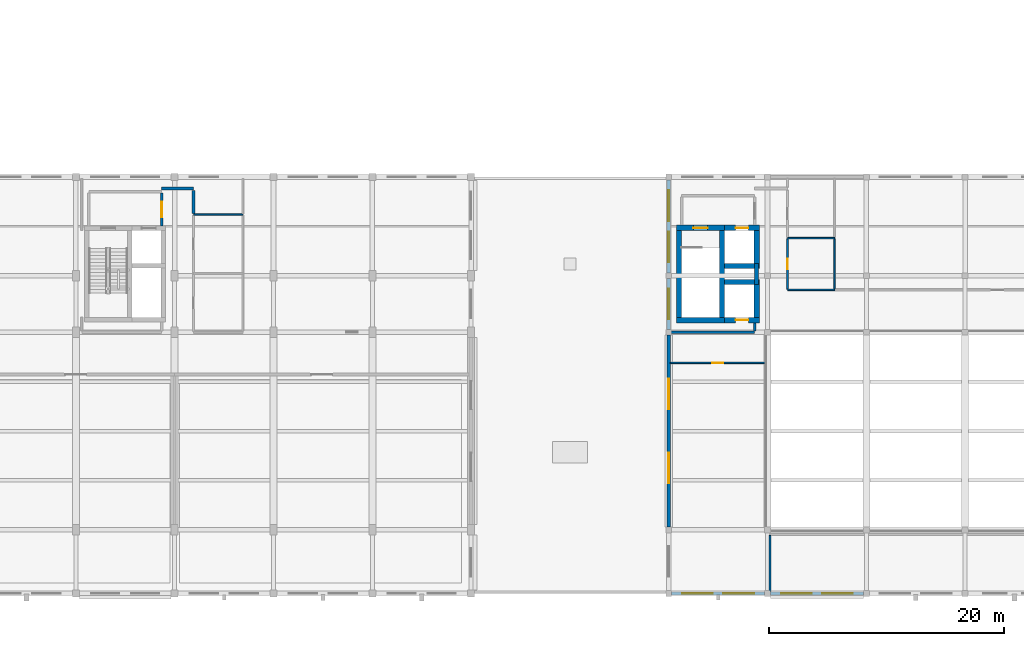
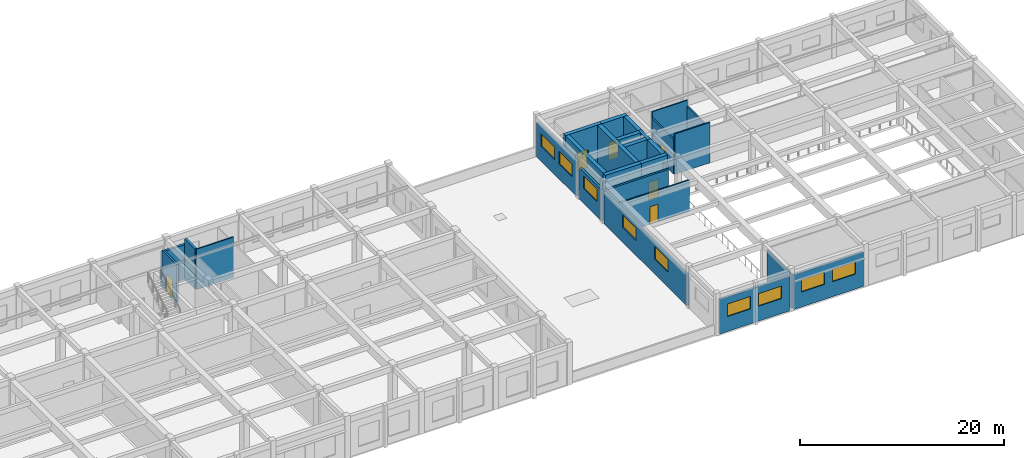
# One storey, part 60 of 77: 28 walls, 9 windows, 6 doors, 15 openings.
"""IFC4 building model written with IfcOpenShell, lengths in metres."""

import ifcopenshell
import ifcopenshell.guid

model = None  # the IFC model being written
_history = None  # IfcOwnerHistory: only IFC2X3 demands one
_inside = {}  # id of a spatial element -> (the spatial element, [elements in it])
_under = {}  # id of a project, library or spatial element -> (it, [spatial elements below it])
_declared = {}  # id of a project -> (the project, [libraries it declares])
_typed = {}  # id of a type object -> (the type object, [elements of that type])
_made_of = {}  # id of a material, layer set ... -> (it, [elements and type objects made of it])


def new_model(schema):
    """Start an empty IFC model of exactly this schema.

    Asked for "IFC4X3", IfcOpenShell would pick the latest addendum, in which some entities
    have other attributes; the version numbers below select the first issue.
    IFC2X3 requires an IfcOwnerHistory on every rooted entity: one is made here for all.
    """
    global model, _history
    if schema == "IFC4X3":
        model = ifcopenshell.file(schema_version=(4, 3, 0, 0))
    else:
        model = ifcopenshell.file(schema=schema)
    _inside.clear()
    _under.clear()
    _declared.clear()
    _typed.clear()
    _made_of.clear()
    _history = None
    if model.schema == "IFC2X3":
        org = make("IfcOrganization", Name="unknown")
        user = make(
            "IfcPersonAndOrganization",
            ThePerson=make("IfcPerson", FamilyName="unknown"),
            TheOrganization=org,
        )
        app = make(
            "IfcApplication",
            ApplicationDeveloper=org,
            Version="unknown",
            ApplicationFullName="unknown",
            ApplicationIdentifier="unknown",
        )
        _history = make(
            "IfcOwnerHistory",
            OwningUser=user,
            OwningApplication=app,
            ChangeAction="ADDED",
            CreationDate=0,
        )
    return model


def make(cls, **values):
    """One entity of the class cls with the attributes given. An attribute that is None is left unset."""
    return model.create_entity(
        cls, **{name: value for name, value in values.items() if value is not None}
    )


def rooted(cls, **values):
    """An entity with a GlobalId (a new one), such as an element, a storey or a relation."""
    return make(cls, GlobalId=ifcopenshell.guid.new(), OwnerHistory=_history, **values)


def si_unit(unit_type, name, prefix=None):
    """IfcSIUnit, for example si_unit("LENGTHUNIT", "METRE", prefix="MILLI")."""
    return make("IfcSIUnit", UnitType=unit_type, Prefix=prefix, Name=name)


def assignment(units):
    """IfcUnitAssignment: the units of a project."""
    return None if units is None else make("IfcUnitAssignment", Units=units)


def point(xyz):
    """IfcCartesianPoint."""
    return None if xyz is None else make("IfcCartesianPoint", Coordinates=xyz)


def direction(xyz):
    """IfcDirection."""
    return None if xyz is None else make("IfcDirection", DirectionRatios=xyz)


def frame(location, z_axis=None, x_axis=None):
    """IfcAxis2Placement3D, a coordinate frame: its origin and axes. An axis left out is left unset."""
    return make(
        "IfcAxis2Placement3D",
        Location=point(location),
        Axis=direction(z_axis),
        RefDirection=direction(x_axis),
    )


def frame_2d(location, x_axis=None):
    """IfcAxis2Placement2D, a coordinate frame in the plane: its origin and x axis."""
    return make(
        "IfcAxis2Placement2D", Location=point(location), RefDirection=direction(x_axis)
    )


def origin():
    """The frame at (0, 0, 0) with its axes left unset."""
    return frame((0.0, 0.0, 0.0))


def place(relative_to, where):
    """IfcLocalPlacement: puts the frame where relative to a parent placement (None: the world)."""
    return make(
        "IfcLocalPlacement", PlacementRelTo=relative_to, RelativePlacement=where
    )


def context(
    kind, dimensions, precision=None, world=None, true_north=None, identifier=None
):
    """IfcGeometricRepresentationContext, for example the 3D "Model" context."""
    return make(
        "IfcGeometricRepresentationContext",
        ContextIdentifier=identifier,
        ContextType=kind,
        CoordinateSpaceDimension=dimensions,
        Precision=precision,
        WorldCoordinateSystem=world,
        TrueNorth=true_north,
    )


def subcontext(parent, identifier, kind, view, scale=None):
    """IfcGeometricRepresentationSubContext, for example "Body" below "Model"."""
    return make(
        "IfcGeometricRepresentationSubContext",
        ContextIdentifier=identifier,
        ContextType=kind,
        ParentContext=parent,
        TargetScale=scale,
        TargetView=view,
    )


def project(units=None, contexts=None):
    """IfcProject with its units and contexts."""
    return rooted(
        "IfcProject",
        Name="project",
        RepresentationContexts=contexts,
        UnitsInContext=assignment(units),
    )


def spatial(cls, under=None, at=None, **own):
    """A site, building, storey or space (cls), placed at a placement, below another one or the project."""
    s = rooted(cls, ObjectPlacement=at, **own)
    if under is not None:
        _under.setdefault(under.id(), (under, []))[1].append(s)
    return s


def profile(cls, at=None, kind="AREA", **sizes):
    """A parametric profile (cls). Its sizes go by their IFC names, for example OverallWidth=200.0."""
    return make(cls, ProfileType=kind, Position=at, **sizes)


def rectangle(**sizes):
    """IfcRectangleProfileDef."""
    return profile("IfcRectangleProfileDef", **sizes)


def extrude(swept, where, along, depth):
    """IfcExtrudedAreaSolid: the profile swept, set in the frame where, extruded along a direction by depth."""
    return make(
        "IfcExtrudedAreaSolid",
        SweptArea=swept,
        Position=where,
        ExtrudedDirection=direction(along),
        Depth=depth,
    )


def shape(context_of_items, identifier, shape_type, items):
    """IfcShapeRepresentation: the items that make up one representation, for example the "Body"."""
    return make(
        "IfcShapeRepresentation",
        ContextOfItems=context_of_items,
        RepresentationIdentifier=identifier,
        RepresentationType=shape_type,
        Items=items,
    )


def material(Name=None, Category=None):
    """IfcMaterial."""
    return make("IfcMaterial", Name=Name, Category=Category)


def layer(
    of_material, thickness, ventilated=None, Name=None, Category=None, Priority=None
):
    """IfcMaterialLayer: one layer of a wall or slab, of a material (None: an air gap)."""
    return make(
        "IfcMaterialLayer",
        Material=of_material,
        LayerThickness=thickness,
        IsVentilated=ventilated,
        Name=Name,
        Category=Category,
        Priority=Priority,
    )


def layer_set(layers, Name=None):
    """IfcMaterialLayerSet."""
    return make("IfcMaterialLayerSet", MaterialLayers=layers, LayerSetName=Name)


def made_of(thing, what):
    """Note that an element or type object is made of a material, layer set ...; save() writes the relation."""
    if what is not None:
        _made_of.setdefault(what.id(), (what, []))[1].append(thing)
    return thing


def type_object(cls, material=None, **own):
    """A type object (cls), such as IfcWallType, which elements share."""
    return made_of(rooted(cls, **own), material)


def element(
    cls,
    number,
    at=None,
    inside=None,
    cuts=None,
    type_object=None,
    material=None,
    context=None,
    identifier="Body",
    shape_type=None,
    held_by="IfcProductDefinitionShape",
    body=None,
    shapes=None,
    **own,
):
    """One element of the class cls, such as IfcWall. Its Tag is "e" and its number.

    at: its placement. inside: the storey or other place that contains it. cuts: it is an
    opening in that element (IfcRelVoidsElement). A single representation is given by context,
    identifier, shape_type and body (its items); several are given by shapes. held_by: the class
    of the entity that holds the representations. save() writes the other relations.
    """
    e = rooted(cls, Tag="e%d" % number, ObjectPlacement=at, **own)
    if body is not None:
        shapes = [shape(context, identifier, shape_type, body)]
    if shapes is not None:
        e.Representation = make(held_by, Representations=shapes)
    if inside is not None:
        _inside.setdefault(inside.id(), (inside, []))[1].append(e)
    if cuts is not None:
        rooted(
            "IfcRelVoidsElement", RelatingBuildingElement=cuts, RelatedOpeningElement=e
        )
    if type_object is not None:
        _typed.setdefault(type_object.id(), (type_object, []))[1].append(e)
    return made_of(e, material)


def fill(opening, filler):
    """IfcRelFillsElement: the door or window that sits in an opening."""
    return rooted(
        "IfcRelFillsElement",
        RelatingOpeningElement=opening,
        RelatedBuildingElement=filler,
    )


def aggregate(whole, parts):
    """IfcRelAggregates: a whole, such as a stair, and the parts it consists of."""
    return rooted("IfcRelAggregates", RelatingObject=whole, RelatedObjects=parts)


def save(model, path):
    """Write the relations noted so far, then the file.

    IfcRelAggregates (storeys below a building ...), IfcRelContainedInSpatialStructure (elements
    in a storey), IfcRelDefinesByType, IfcRelAssociatesMaterial and IfcRelDeclares: one each for
    every whole, place, type object, material and project.
    """
    for whole, parts in _under.values():
        aggregate(whole, parts)
    for where, things in _inside.values():
        rooted(
            "IfcRelContainedInSpatialStructure",
            RelatedElements=things,
            RelatingStructure=where,
        )
    for kind, things in _typed.values():
        rooted("IfcRelDefinesByType", RelatedObjects=things, RelatingType=kind)
    for what, things in _made_of.values():
        rooted("IfcRelAssociatesMaterial", RelatedObjects=things, RelatingMaterial=what)
    for by, libraries in _declared.values():
        rooted("IfcRelDeclares", RelatingContext=by, RelatedDefinitions=libraries)
    model.write(path)


model = new_model("IFC4")

# Units and contexts
model_context = context("Model", 3, precision=1e-05, world=origin(), true_north=direction((0.0, 1.0)))
body_context = subcontext(model_context, "Body", "Model", "MODEL_VIEW")
ifc_project = project(units=[si_unit("LENGTHUNIT", "METRE"), si_unit("AREAUNIT", "SQUARE_METRE"), si_unit("VOLUMEUNIT", "CUBIC_METRE"), si_unit("PLANEANGLEUNIT", "RADIAN"), si_unit("MASSUNIT", "GRAM", prefix="KILO")], contexts=[model_context])

# Site, building, storey
site_placement = place(None, origin())
site = spatial("IfcSite", under=ifc_project, at=site_placement, CompositionType="ELEMENT")
building_placement = place(site_placement, origin())
building = spatial("IfcBuilding", under=site, at=building_placement, Name="Krzemoval Escarpment Law Courts", CompositionType="ELEMENT")
storey_placement = place(building_placement, frame((0.0, 0.0, 15.300048828125)))
storey = spatial("IfcBuildingStorey", under=building, at=storey_placement, Name="L03", CompositionType="ELEMENT", Elevation=15.300048828125)

# Wall, openings, windows
ifc_material_1 = material(Name="Precast concrete C40/50", Category="concrete")
ifc_layer_1 = layer(ifc_material_1, 0.260009765625)
ifc_layer_set_1 = layer_set([ifc_layer_1], Name="Precast concrete C40/50")
wall_type_1 = type_object("IfcWallType", Name="WL-EXT-260", PredefinedType="SOLIDWALL", material=ifc_layer_set_1)
wall_1_placement = place(storey_placement, frame((125.75, 0.0, 0.0), z_axis=(0.0, 0.0, 1.0), x_axis=(-1.0, 0.0, 0.0)))
wall_1 = element("IfcWall", 1, at=wall_1_placement, inside=storey, type_object=wall_type_1, Name="Exterior Wall EW-L03-0367", PredefinedType="SOLIDWALL", context=body_context, shape_type="SweptSolid", body=[
    extrude(rectangle(XDim=7.89990234375, YDim=0.260009765625, at=frame_2d((3.949951171875, 0.0))), origin(), (0.0, 0.0, 1.0), 4.139892578125),
])
opening_1_placement = place(wall_1_placement, frame((0.89990234375, 0.0, 1.800048828125)))
opening_1 = element("IfcOpeningElement", 2, at=opening_1_placement, cuts=wall_1, Name="Opening WN-L03-0418", PredefinedType="OPENING", context=body_context, shape_type="SweptSolid", body=[
    extrude(rectangle(XDim=2.60009765625, YDim=1.5, at=frame_2d((1.300048828125, 0.75))), frame((0.0, 0.145, 0.0), z_axis=(0.0, -1.0, 0.0), x_axis=(1.0, 0.0, 0.0)), (0.0, 0.0, 1.0), 0.29001),
])
opening_2_placement = place(wall_1_placement, frame((4.39990234375, 0.0, 1.800048828125)))
opening_2 = element("IfcOpeningElement", 3, at=opening_2_placement, cuts=wall_1, Name="Opening WN-L03-0419", PredefinedType="OPENING", context=body_context, shape_type="SweptSolid", body=[
    extrude(rectangle(XDim=2.60009765625, YDim=1.5, at=frame_2d((1.300048828125, 0.75))), frame((0.0, 0.145, 0.0), z_axis=(0.0, -1.0, 0.0), x_axis=(1.0, 0.0, 0.0)), (0.0, 0.0, 1.0), 0.29001),
])
ifc_material_2 = material(Name="Thermally Broken Aluminium Frame with Triple Low-E Acoustic Glass", Category="aluminium")
window_type = type_object("IfcWindowType", Name="WN-2600x1500", PartitioningType="SINGLE_PANEL", PredefinedType="WINDOW", material=ifc_material_2)
window_1_placement = place(opening_1_placement, origin())
window_1 = element("IfcWindow", 4, at=window_1_placement, inside=storey, type_object=window_type, Name="Facade Window WN-L03-0418", OverallHeight=1.5, OverallWidth=2.60009765625, PartitioningType="SINGLE_PANEL", PredefinedType="WINDOW", context=body_context, shape_type="SweptSolid", body=[
    extrude(rectangle(XDim=2.60009765625, YDim=1.5, at=frame_2d((1.300048828125, 0.75))), frame((0.0, 0.030029296875, 0.0), z_axis=(0.0, -1.0, 0.0), x_axis=(1.0, 0.0, 0.0)), (0.0, 0.0, 1.0), 0.06005859375),
])
fill(opening_1, window_1)
window_2_placement = place(opening_2_placement, origin())
window_2 = element("IfcWindow", 5, at=window_2_placement, inside=storey, type_object=window_type, Name="Facade Window WN-L03-0419", OverallHeight=1.5, OverallWidth=2.60009765625, PartitioningType="SINGLE_PANEL", PredefinedType="WINDOW", context=body_context, shape_type="SweptSolid", body=[
    extrude(rectangle(XDim=2.60009765625, YDim=1.5, at=frame_2d((1.300048828125, 0.75))), frame((0.0, 0.030029296875, 0.0), z_axis=(0.0, -1.0, 0.0), x_axis=(1.0, 0.0, 0.0)), (0.0, 0.0, 1.0), 0.06005859375),
])
fill(opening_2, window_2)

wall_2_placement = place(storey_placement, frame((117.35009765625, 0.0, 0.0), z_axis=(0.0, 0.0, 1.0), x_axis=(-1.0, 0.0, 0.0)))
wall_2 = element("IfcWall", 6, at=wall_2_placement, inside=storey, type_object=wall_type_1, Name="Exterior Wall EW-L03-0368", PredefinedType="SOLIDWALL", context=body_context, shape_type="SweptSolid", body=[
    extrude(rectangle(XDim=7.900146484375, YDim=0.260009765625, at=frame_2d((3.9501953125, 0.0))), origin(), (0.0, 0.0, 1.0), 4.139892578125),
])
opening_3_placement = place(wall_2_placement, frame((0.89990234375, 0.0, 1.800048828125)))
opening_3 = element("IfcOpeningElement", 7, at=opening_3_placement, cuts=wall_2, Name="Opening WN-L03-0420", PredefinedType="OPENING", context=body_context, shape_type="SweptSolid", body=[
    extrude(rectangle(XDim=2.60009765625, YDim=1.5, at=frame_2d((1.300048828125, 0.75))), frame((0.0, 0.145, 0.0), z_axis=(0.0, -1.0, 0.0), x_axis=(1.0, 0.0, 0.0)), (0.0, 0.0, 1.0), 0.29001),
])
opening_4_placement = place(wall_2_placement, frame((4.39990234375, 0.0, 1.800048828125)))
opening_4 = element("IfcOpeningElement", 8, at=opening_4_placement, cuts=wall_2, Name="Opening WN-L03-0421", PredefinedType="OPENING", context=body_context, shape_type="SweptSolid", body=[
    extrude(rectangle(XDim=2.60009765625, YDim=1.5, at=frame_2d((1.300048828125, 0.75))), frame((0.0, 0.145, 0.0), z_axis=(0.0, -1.0, 0.0), x_axis=(1.0, 0.0, 0.0)), (0.0, 0.0, 1.0), 0.29001),
])
window_3_placement = place(opening_3_placement, origin())
window_3 = element("IfcWindow", 9, at=window_3_placement, inside=storey, type_object=window_type, Name="Facade Window WN-L03-0420", OverallHeight=1.5, OverallWidth=2.60009765625, PartitioningType="SINGLE_PANEL", PredefinedType="WINDOW", context=body_context, shape_type="SweptSolid", body=[
    extrude(rectangle(XDim=2.60009765625, YDim=1.5, at=frame_2d((1.300048828125, 0.75))), frame((0.0, 0.030029296875, 0.0), z_axis=(0.0, -1.0, 0.0), x_axis=(1.0, 0.0, 0.0)), (0.0, 0.0, 1.0), 0.06005859375),
])
fill(opening_3, window_3)
window_4_placement = place(opening_4_placement, origin())
window_4 = element("IfcWindow", 10, at=window_4_placement, inside=storey, type_object=window_type, Name="Facade Window WN-L03-0421", OverallHeight=1.5, OverallWidth=2.60009765625, PartitioningType="SINGLE_PANEL", PredefinedType="WINDOW", context=body_context, shape_type="SweptSolid", body=[
    extrude(rectangle(XDim=2.60009765625, YDim=1.5, at=frame_2d((1.300048828125, 0.75))), frame((0.0, 0.030029296875, 0.0), z_axis=(0.0, -1.0, 0.0), x_axis=(1.0, 0.0, 0.0)), (0.0, 0.0, 1.0), 0.06005859375),
])
fill(opening_4, window_4)

wall_3_placement = place(storey_placement, frame((109.199951171875, 5.64990234375, 0.0), z_axis=(0.0, 0.0, 1.0), x_axis=(0.0, 1.0, 0.0)))
wall_3 = element("IfcWall", 11, at=wall_3_placement, inside=storey, type_object=wall_type_1, Name="Exterior Wall EW-L03-0370", PredefinedType="SOLIDWALL", context=body_context, shape_type="SweptSolid", body=[
    extrude(rectangle(XDim=16.300048828125, YDim=0.260009765625, at=frame_2d((8.14990234375, 0.0))), origin(), (0.0, 0.0, 1.0), 3.7900390625),
])
opening_5_placement = place(wall_3_placement, frame((3.699951171875, 0.0, 1.800048828125)))
opening_5 = element("IfcOpeningElement", 12, at=opening_5_placement, cuts=wall_3, Name="Opening WN-L03-0423", PredefinedType="OPENING", context=body_context, shape_type="SweptSolid", body=[
    extrude(rectangle(XDim=2.60009765625, YDim=1.5, at=frame_2d((1.300048828125, 0.75))), frame((0.0, 0.145, 0.0), z_axis=(0.0, -1.0, 0.0), x_axis=(1.0, 0.0, 0.0)), (0.0, 0.0, 1.0), 0.29001),
])
opening_6_placement = place(wall_3_placement, frame((10.0, 0.0, 1.800048828125)))
opening_6 = element("IfcOpeningElement", 13, at=opening_6_placement, cuts=wall_3, Name="Opening WN-L03-0424", PredefinedType="OPENING", context=body_context, shape_type="SweptSolid", body=[
    extrude(rectangle(XDim=2.60009765625, YDim=1.5, at=frame_2d((1.300048828125, 0.75))), frame((0.0, 0.145, 0.0), z_axis=(0.0, -1.0, 0.0), x_axis=(1.0, 0.0, 0.0)), (0.0, 0.0, 1.0), 0.29001),
])
window_5_placement = place(opening_5_placement, origin())
window_5 = element("IfcWindow", 14, at=window_5_placement, inside=storey, type_object=window_type, Name="Facade Window WN-L03-0423", OverallHeight=1.5, OverallWidth=2.60009765625, PartitioningType="SINGLE_PANEL", PredefinedType="WINDOW", context=body_context, shape_type="SweptSolid", body=[
    extrude(rectangle(XDim=2.60009765625, YDim=1.5, at=frame_2d((1.300048828125, 0.75))), frame((0.0, 0.030029296875, 0.0), z_axis=(0.0, -1.0, 0.0), x_axis=(1.0, 0.0, 0.0)), (0.0, 0.0, 1.0), 0.06005859375),
])
fill(opening_5, window_5)
window_6_placement = place(opening_6_placement, origin())
window_6 = element("IfcWindow", 15, at=window_6_placement, inside=storey, type_object=window_type, Name="Facade Window WN-L03-0424", OverallHeight=1.5, OverallWidth=2.60009765625, PartitioningType="SINGLE_PANEL", PredefinedType="WINDOW", context=body_context, shape_type="SweptSolid", body=[
    extrude(rectangle(XDim=2.60009765625, YDim=1.5, at=frame_2d((1.300048828125, 0.75))), frame((0.0, 0.030029296875, 0.0), z_axis=(0.0, -1.0, 0.0), x_axis=(1.0, 0.0, 0.0)), (0.0, 0.0, 1.0), 0.06005859375),
])
fill(opening_6, window_6)

# Wall, opening, window
wall_4_placement = place(storey_placement, frame((109.199951171875, 22.449951171875, 0.0), z_axis=(0.0, 0.0, 1.0), x_axis=(0.0, 1.0, 0.0)))
wall_4 = element("IfcWall", 16, at=wall_4_placement, inside=storey, type_object=wall_type_1, Name="Exterior Wall EW-L03-0371", PredefinedType="SOLIDWALL", context=body_context, shape_type="SweptSolid", body=[
    extrude(rectangle(XDim=4.300048828125, YDim=0.260009765625, at=frame_2d((2.14990234375, 0.0))), origin(), (0.0, 0.0, 1.0), 3.7900390625),
])
opening_7_placement = place(wall_4_placement, frame((0.85009765625, 0.0, 1.800048828125)))
opening_7 = element("IfcOpeningElement", 17, at=opening_7_placement, cuts=wall_4, Name="Opening WN-L03-0425", PredefinedType="OPENING", context=body_context, shape_type="SweptSolid", body=[
    extrude(rectangle(XDim=2.60009765625, YDim=1.5, at=frame_2d((1.300048828125, 0.75))), frame((0.0, 0.145, 0.0), z_axis=(0.0, -1.0, 0.0), x_axis=(1.0, 0.0, 0.0)), (0.0, 0.0, 1.0), 0.29001),
])
window_7_placement = place(opening_7_placement, origin())
window_7 = element("IfcWindow", 18, at=window_7_placement, inside=storey, type_object=window_type, Name="Facade Window WN-L03-0425", OverallHeight=1.5, OverallWidth=2.60009765625, PartitioningType="SINGLE_PANEL", PredefinedType="WINDOW", context=body_context, shape_type="SweptSolid", body=[
    extrude(rectangle(XDim=2.60009765625, YDim=1.5, at=frame_2d((1.300048828125, 0.75))), frame((0.0, 0.030029296875, 0.0), z_axis=(0.0, -1.0, 0.0), x_axis=(1.0, 0.0, 0.0)), (0.0, 0.0, 1.0), 0.06005859375),
])
fill(opening_7, window_7)

# Wall, openings, windows
wall_5_placement = place(storey_placement, frame((109.199951171875, 27.25, 0.0), z_axis=(0.0, 0.0, 1.0), x_axis=(0.0, 1.0, 0.0)))
wall_5 = element("IfcWall", 19, at=wall_5_placement, inside=storey, type_object=wall_type_1, Name="Exterior Wall EW-L03-0372", PredefinedType="SOLIDWALL", context=body_context, shape_type="SweptSolid", body=[
    extrude(rectangle(XDim=7.89990234375, YDim=0.260009765625, at=frame_2d((3.949951171875, 0.0))), origin(), (0.0, 0.0, 1.0), 4.139892578125),
])
opening_8_placement = place(wall_5_placement, frame((0.89990234375, 0.0, 1.800048828125)))
opening_8 = element("IfcOpeningElement", 20, at=opening_8_placement, cuts=wall_5, Name="Opening WN-L03-0426", PredefinedType="OPENING", context=body_context, shape_type="SweptSolid", body=[
    extrude(rectangle(XDim=2.60009765625, YDim=1.5, at=frame_2d((1.300048828125, 0.75))), frame((0.0, 0.145, 0.0), z_axis=(0.0, -1.0, 0.0), x_axis=(1.0, 0.0, 0.0)), (0.0, 0.0, 1.0), 0.29001),
])
opening_9_placement = place(wall_5_placement, frame((4.39990234375, 0.0, 1.800048828125)))
opening_9 = element("IfcOpeningElement", 21, at=opening_9_placement, cuts=wall_5, Name="Opening WN-L03-0427", PredefinedType="OPENING", context=body_context, shape_type="SweptSolid", body=[
    extrude(rectangle(XDim=2.60009765625, YDim=1.5, at=frame_2d((1.300048828125, 0.75))), frame((0.0, 0.145, 0.0), z_axis=(0.0, -1.0, 0.0), x_axis=(1.0, 0.0, 0.0)), (0.0, 0.0, 1.0), 0.29001),
])
window_8_placement = place(opening_8_placement, origin())
window_8 = element("IfcWindow", 22, at=window_8_placement, inside=storey, type_object=window_type, Name="Facade Window WN-L03-0426", OverallHeight=1.5, OverallWidth=2.60009765625, PartitioningType="SINGLE_PANEL", PredefinedType="WINDOW", context=body_context, shape_type="SweptSolid", body=[
    extrude(rectangle(XDim=2.60009765625, YDim=1.5, at=frame_2d((1.300048828125, 0.75))), frame((0.0, 0.030029296875, 0.0), z_axis=(0.0, -1.0, 0.0), x_axis=(1.0, 0.0, 0.0)), (0.0, 0.0, 1.0), 0.06005859375),
])
fill(opening_8, window_8)
window_9_placement = place(opening_9_placement, origin())
window_9 = element("IfcWindow", 23, at=window_9_placement, inside=storey, type_object=window_type, Name="Facade Window WN-L03-0427", OverallHeight=1.5, OverallWidth=2.60009765625, PartitioningType="SINGLE_PANEL", PredefinedType="WINDOW", context=body_context, shape_type="SweptSolid", body=[
    extrude(rectangle(XDim=2.60009765625, YDim=1.5, at=frame_2d((1.300048828125, 0.75))), frame((0.0, 0.030029296875, 0.0), z_axis=(0.0, -1.0, 0.0), x_axis=(1.0, 0.0, 0.0)), (0.0, 0.0, 1.0), 0.06005859375),
])
fill(opening_9, window_9)

# Wall, opening, door
ifc_material_3 = material(Name="Standard Metal-Stud Gypsum Partition", Category="gypsum")
ifc_layer_2 = layer(ifc_material_3, 0.125)
ifc_layer_set_2 = layer_set([ifc_layer_2], Name="Standard Metal-Stud Gypsum Partition")
wall_type_2 = type_object("IfcWallType", Name="WL-PRT-125", PredefinedType="PARTITIONING", material=ifc_layer_set_2)
wall_6_placement = place(storey_placement, frame((109.33203125, 19.60009765625, 0.0), z_axis=(0.0, 0.0, 1.0), x_axis=(1.0, 0.0, 0.0)))
wall_6 = element("IfcWall", 24, at=wall_6_placement, inside=storey, type_object=wall_type_2, Name="Interior Partition PW-L03-0488", PredefinedType="PARTITIONING", context=body_context, shape_type="SweptSolid", body=[
    extrude(rectangle(XDim=8.06787109375, YDim=0.125, at=frame_2d((4.033935546875, 0.0))), origin(), (0.0, 0.0, 1.0), 3.7900390625),
])
opening_10_placement = place(wall_6_placement, frame((3.583984375, 0.0, 0.0)))
opening_10 = element("IfcOpeningElement", 25, at=opening_10_placement, cuts=wall_6, Name="Opening D-L03-0184", PredefinedType="OPENING", context=body_context, shape_type="SweptSolid", body=[
    extrude(rectangle(XDim=0.89990234375, YDim=2.10009765625, at=frame_2d((0.449951171875, 1.050048828125))), frame((0.0, 0.0775, 0.0), z_axis=(0.0, -1.0, 0.0), x_axis=(1.0, 0.0, 0.0)), (0.0, 0.0, 1.0), 0.155),
])
ifc_material_4 = material(Name="Engineered Solid-Core Oak Acoustic Timber", Category="wood")
door_type_1 = type_object("IfcDoorType", Name="DR-INT-900x2100", OperationType="SINGLE_SWING_LEFT", PredefinedType="DOOR", material=ifc_material_4)
door_1_placement = place(opening_10_placement, origin())
door_1 = element("IfcDoor", 26, at=door_1_placement, inside=storey, type_object=door_type_1, Name="Room Door D-L03-0184", OperationType="SINGLE_SWING_RIGHT", OverallHeight=2.10009765625, OverallWidth=0.89990234375, PredefinedType="DOOR", context=body_context, shape_type="SweptSolid", body=[
    extrude(rectangle(XDim=0.89990234375, YDim=2.10009765625, at=frame_2d((0.449951171875, 1.050048828125))), frame((0.0, 0.02490234375, 0.0), z_axis=(0.0, -1.0, 0.0), x_axis=(1.0, 0.0, 0.0)), (0.0, 0.0, 1.0), 0.050048828125),
])
fill(opening_10, door_1)

# Walls
ifc_material_5 = material(Name="Sanitary Moisture-Resistant Partition", Category="gypsum")
ifc_layer_3 = layer(ifc_material_5, 0.139892578125)
ifc_layer_set_3 = layer_set([ifc_layer_3], Name="Sanitary Moisture-Resistant Partition")
wall_type_3 = type_object("IfcWallType", Name="WL-PRT-140", PredefinedType="PARTITIONING", material=ifc_layer_set_3)
for number, where, z_axis, x_axis, name in (
    (27, (119.300048828125, 25.800048828125, 0.0), (0.0, 0.0, 1.0), (1.0, 0.0, 0.0), "Interior Partition PW-L03-0495"),
    (28, (119.300048828125, 30.199951171875, 0.0), (0.0, 0.0, 1.0), (1.0, 0.0, 0.0), "Interior Partition PW-L03-0499"),
):
    element("IfcWall", number, at=place(storey_placement, frame(where, z_axis=z_axis, x_axis=x_axis)), inside=storey, type_object=wall_type_3, Name=name, PredefinedType="PARTITIONING", context=body_context, shape_type="SweptSolid", body=[
        extrude(rectangle(XDim=4.0, YDim=0.139892578125, at=frame_2d((2.0, 0.0))), origin(), (0.0, 0.0, 1.0), 4.83984375),
    ])
wall_7_placement = place(storey_placement, frame((68.800048828125, 32.199951171875, 0.0), z_axis=(0.0, 0.0, 1.0), x_axis=(1.0, 0.0, 0.0)))
element("IfcWall", 29, at=wall_7_placement, inside=storey, type_object=wall_type_3, Name="Interior Partition PW-L03-0503", PredefinedType="PARTITIONING", context=body_context, shape_type="SweptSolid", body=[
    extrude(rectangle(XDim=4.199951171875, YDim=0.139892578125, at=frame_2d((2.10009765625, 0.0))), origin(), (0.0, 0.0, 1.0), 4.83984375),
])

# Wall, opening, door
wall_8_placement = place(storey_placement, frame((119.300048828125, 25.8720703125, 0.0), z_axis=(0.0, 0.0, 1.0), x_axis=(0.0, 1.0, 0.0)))
wall_8 = element("IfcWall", 30, at=wall_8_placement, inside=storey, type_object=wall_type_3, Name="Interior Partition PW-L03-0572", PredefinedType="PARTITIONING", context=body_context, shape_type="SweptSolid", body=[
    extrude(rectangle(XDim=4.255859375, YDim=0.139892578125, at=frame_2d((2.1279296875, 0.0))), origin(), (0.0, 0.0, 1.0), 4.139892578125),
])
opening_11_placement = place(wall_8_placement, frame((1.677978515625, 0.0, 0.0)))
opening_11 = element("IfcOpeningElement", 31, at=opening_11_placement, cuts=wall_8, Name="Opening D-L03-0187", PredefinedType="OPENING", context=body_context, shape_type="SweptSolid", body=[
    extrude(rectangle(XDim=0.89990234375, YDim=2.10009765625, at=frame_2d((0.449951171875, 1.050048828125))), frame((0.0, 0.08495, 0.0), z_axis=(0.0, -1.0, 0.0), x_axis=(1.0, 0.0, 0.0)), (0.0, 0.0, 1.0), 0.16989),
])
door_2_placement = place(opening_11_placement, origin())
door_2 = element("IfcDoor", 32, at=door_2_placement, inside=storey, type_object=door_type_1, Name="Room Door D-L03-0187", OperationType="SINGLE_SWING_RIGHT", OverallHeight=2.10009765625, OverallWidth=0.89990234375, PredefinedType="DOOR", context=body_context, shape_type="SweptSolid", body=[
    extrude(rectangle(XDim=0.89990234375, YDim=2.10009765625, at=frame_2d((0.449951171875, 1.050048828125))), frame((0.0, 0.02490234375, 0.0), z_axis=(0.0, -1.0, 0.0), x_axis=(1.0, 0.0, 0.0)), (0.0, 0.0, 1.0), 0.050048828125),
])
fill(opening_11, door_2)

# Walls
wall_9_placement = place(storey_placement, frame((123.300048828125, 25.876953125, 0.0), z_axis=(0.0, 0.0, 1.0), x_axis=(0.0, 1.0, 0.0)))
element("IfcWall", 33, at=wall_9_placement, inside=storey, type_object=wall_type_3, Name="Interior Partition PW-L03-0575", PredefinedType="PARTITIONING", context=body_context, shape_type="SweptSolid", body=[
    extrude(rectangle(XDim=4.2509765625, YDim=0.139892578125, at=frame_2d((2.12548828125, 0.0))), origin(), (0.0, 0.0, 1.0), 4.139892578125),
])
ifc_material_6 = material(Name="Office Acoustic Partition Wall", Category="gypsum")
ifc_layer_4 = layer(ifc_material_6, 0.14990234375)
ifc_layer_set_4 = layer_set([ifc_layer_4], Name="Office Acoustic Partition Wall")
wall_type_4 = type_object("IfcWallType", Name="WL-PRT-150", PredefinedType="PARTITIONING", material=ifc_layer_set_4)
wall_10_placement = place(storey_placement, frame((117.800048828125, 0.123046875, 0.0), z_axis=(0.0, 0.0, 1.0), x_axis=(0.0, 1.0, 0.0)))
element("IfcWall", 34, at=wall_10_placement, inside=storey, type_object=wall_type_4, Name="Interior Partition PW-L03-0571", PredefinedType="PARTITIONING", context=body_context, shape_type="SweptSolid", body=[
    extrude(rectangle(XDim=4.804931640625, YDim=0.14990234375, at=frame_2d((2.40234375, 0.0))), origin(), (0.0, 0.0, 1.0), 4.139892578125),
])

# Wall, opening, door
ifc_material_7 = material(Name="Fire-Rated Corridor Partition Wall", Category="gypsum")
ifc_layer_5 = layer(ifc_material_7, 0.199951171875)
ifc_layer_set_5 = layer_set([ifc_layer_5], Name="Fire-Rated Corridor Partition Wall")
wall_type_5 = type_object("IfcWallType", Name="WL-PRT-200", PredefinedType="PARTITIONING", material=ifc_layer_set_5)
wall_11_placement = place(storey_placement, frame((66.10009765625, 31.23193359375, 0.0), z_axis=(0.0, 0.0, 1.0), x_axis=(0.0, 1.0, 0.0)))
wall_11 = element("IfcWall", 35, at=wall_11_placement, inside=storey, type_object=wall_type_5, Name="Interior Partition PW-L03-0559", PredefinedType="PARTITIONING", context=body_context, shape_type="SweptSolid", body=[
    extrude(rectangle(XDim=2.816162109375, YDim=0.199951171875, at=frame_2d((1.408203125, 0.0))), origin(), (0.0, 0.0, 1.0), 4.5400390625),
])
opening_12_placement = place(wall_11_placement, frame((0.758056640625, 0.0, 0.0)))
opening_12 = element("IfcOpeningElement", 36, at=opening_12_placement, cuts=wall_11, Name="Opening D-L03-0168", PredefinedType="OPENING", context=body_context, shape_type="SweptSolid", body=[
    extrude(rectangle(XDim=1.300048828125, YDim=2.199951171875, at=frame_2d((0.64990234375, 1.10009765625))), frame((0.0, 0.11498, 0.0), z_axis=(0.0, -1.0, 0.0), x_axis=(1.0, 0.0, 0.0)), (0.0, 0.0, 1.0), 0.22995),
])
ifc_material_8 = material(Name="Galvanised Steel S355", Category="steel")
door_type_2 = type_object("IfcDoorType", Name="DR-STR-1300x2200", OperationType="SINGLE_SWING_LEFT", PredefinedType="DOOR", material=ifc_material_8)
door_3_placement = place(opening_12_placement, origin())
door_3 = element("IfcDoor", 37, at=door_3_placement, inside=storey, type_object=door_type_2, Name="Room Door D-L03-0168", OperationType="SINGLE_SWING_LEFT", OverallHeight=2.199951171875, OverallWidth=1.300048828125, PredefinedType="DOOR", context=body_context, shape_type="SweptSolid", body=[
    extrude(rectangle(XDim=1.300048828125, YDim=2.199951171875, at=frame_2d((0.64990234375, 1.10009765625))), frame((0.0, 0.02490234375, 0.0), z_axis=(0.0, -1.0, 0.0), x_axis=(1.0, 0.0, 0.0)), (0.0, 0.0, 1.0), 0.050048828125),
])
fill(opening_12, door_3)

# Walls
wall_12_placement = place(storey_placement, frame((116.5, 22.31201171875, 0.0), z_axis=(0.0, 0.0, 1.0), x_axis=(0.0, 1.0, 0.0)))
element("IfcWall", 38, at=wall_12_placement, inside=storey, type_object=wall_type_5, Name="Interior Partition PW-L03-0570", PredefinedType="PARTITIONING", context=body_context, shape_type="SweptSolid", body=[
    extrude(rectangle(XDim=0.68603515625, YDim=0.199951171875, at=frame_2d((0.343017578125, 0.0))), origin(), (0.0, 0.0, 1.0), 4.139892578125),
])
ifc_material_9 = material(Name="Solid Calcium-Silicate Custody Blockwork Partition", Category="masonry")
ifc_layer_6 = layer(ifc_material_9, 0.219970703125)
ifc_layer_set_6 = layer_set([ifc_layer_6], Name="Solid Calcium-Silicate Custody Blockwork Partition")
wall_type_6 = type_object("IfcWallType", Name="WL-PRT-220", PredefinedType="PARTITIONING", material=ifc_layer_set_6)
wall_13_placement = place(storey_placement, frame((109.2529296875, 22.199951171875, 0.0), z_axis=(0.0, 0.0, 1.0), x_axis=(1.0, 0.0, 0.0)))
element("IfcWall", 39, at=wall_13_placement, inside=storey, type_object=wall_type_6, Name="Interior Partition PW-L03-0493", PredefinedType="PARTITIONING", context=body_context, shape_type="SweptSolid", body=[
    extrude(rectangle(XDim=7.2470703125, YDim=0.219970703125, at=frame_2d((3.62353515625, 0.0))), origin(), (0.0, 0.0, 1.0), 3.7900390625),
])
ifc_material_10 = material(Name="Acoustic Courtroom Partition Assembly", Category="gypsum")
ifc_layer_7 = layer(ifc_material_10, 0.239990234375)
ifc_layer_set_7 = layer_set([ifc_layer_7], Name="Acoustic Courtroom Partition Assembly")
wall_type_7 = type_object("IfcWallType", Name="WL-PRT-240", PredefinedType="PARTITIONING", material=ifc_layer_set_7)
wall_14_placement = place(storey_placement, frame((68.800048828125, 32.27197265625, 0.0), z_axis=(0.0, 0.0, 1.0), x_axis=(0.0, 1.0, 0.0)))
element("IfcWall", 40, at=wall_14_placement, inside=storey, type_object=wall_type_7, Name="Interior Partition PW-L03-0562", PredefinedType="PARTITIONING", context=body_context, shape_type="SweptSolid", body=[
    extrude(rectangle(XDim=1.99609375, YDim=0.239990234375, at=frame_2d((0.998046875, 0.0))), origin(), (0.0, 0.0, 1.0), 4.83984375),
])
ifc_material_11 = material(Name="Acoustic Double-Stud Gypsum and Mineral Wool Wall", Category="gypsum")
ifc_layer_8 = layer(ifc_material_11, 0.260009765625)
ifc_layer_set_8 = layer_set([ifc_layer_8], Name="Acoustic Double-Stud Gypsum and Mineral Wool Wall")
wall_type_8 = type_object("IfcWallType", Name="WL-PRT-260", PredefinedType="PARTITIONING", material=ifc_layer_set_8)
wall_15_placement = place(storey_placement, frame((66.10009765625, 34.39990234375, 0.0), z_axis=(0.0, 0.0, 1.0), x_axis=(1.0, 0.0, 0.0)))
element("IfcWall", 41, at=wall_15_placement, inside=storey, type_object=wall_type_8, Name="Interior Partition PW-L03-0506", PredefinedType="PARTITIONING", context=body_context, shape_type="SweptSolid", body=[
    extrude(rectangle(XDim=2.699951171875, YDim=0.260009765625, at=frame_2d((1.35009765625, 0.0))), origin(), (0.0, 0.0, 1.0), 4.139892578125),
])
ifc_material_12 = material(Name="Concrete C40/50", Category="concrete")
ifc_layer_9 = layer(ifc_material_12, 0.35009765625)
ifc_layer_set_9 = layer_set([ifc_layer_9], Name="Concrete C40/50")
wall_type_9 = type_object("IfcWallType", Name="WL-SHW-350", PredefinedType="SHEAR", material=ifc_layer_set_9)
wall_16_placement = place(storey_placement, frame((116.675048828125, 26.242919921875, 0.0), z_axis=(0.0, 0.0, 1.0), x_axis=(0.0, 1.0, 0.0)))
element("IfcWall", 42, at=wall_16_placement, inside=storey, type_object=wall_type_9, Name="Riser Shaft Wall SW-L03-0594", PredefinedType="SHEAR", context=body_context, shape_type="SweptSolid", body=[
    extrude(rectangle(XDim=1.81396484375, YDim=0.35009765625, at=frame_2d((0.906982421875, 0.0))), origin(), (0.0, 0.0, 1.0), 4.83984375),
])

# Wall, opening, door
ifc_material_13 = material(Name="Concrete C40/50", Category="concrete")
ifc_layer_10 = layer(ifc_material_13, 0.449951171875)
ifc_layer_set_10 = layer_set([ifc_layer_10], Name="Concrete C40/50")
wall_type_10 = type_object("IfcWallType", Name="WL-SHW-450", PredefinedType="SHEAR", material=ifc_layer_set_10)
wall_17_placement = place(storey_placement, frame((109.85009765625, 31.074951171875, 0.0), z_axis=(0.0, 0.0, 1.0), x_axis=(1.0, 0.0, 0.0)))
wall_17 = element("IfcWall", 43, at=wall_17_placement, inside=storey, type_object=wall_type_10, Name="Core Stair Shear Wall SW-L03-0584", PredefinedType="SHEAR", context=body_context, shape_type="SweptSolid", body=[
    extrude(rectangle(XDim=4.099853515625, YDim=0.449951171875, at=frame_2d((2.0498046875, 0.0))), origin(), (0.0, 0.0, 1.0), 4.83984375),
])
opening_13_placement = place(wall_17_placement, frame((1.449951171875, 0.0, 0.0)))
opening_13 = element("IfcOpeningElement", 44, at=opening_13_placement, cuts=wall_17, Name="Opening SD-ST6-L03", PredefinedType="OPENING", context=body_context, shape_type="SweptSolid", body=[
    extrude(rectangle(XDim=1.199951171875, YDim=2.199951171875, at=frame_2d((0.60009765625, 1.10009765625))), frame((0.0, 0.23998, 0.0), z_axis=(0.0, -1.0, 0.0), x_axis=(1.0, 0.0, 0.0)), (0.0, 0.0, 1.0), 0.47995),
])
ifc_material_14 = material(Name="Galvanised Steel S355", Category="steel")
door_type_3 = type_object("IfcDoorType", Name="DR-STR-1200x2200", OperationType="SINGLE_SWING_LEFT", PredefinedType="DOOR", material=ifc_material_14)
door_4_placement = place(opening_13_placement, origin())
door_4 = element("IfcDoor", 45, at=door_4_placement, inside=storey, type_object=door_type_3, Name="Stair Exit Door SD-ST6-L03", OperationType="SINGLE_SWING_RIGHT", OverallHeight=2.199951171875, OverallWidth=1.199951171875, PredefinedType="DOOR", context=body_context, shape_type="SweptSolid", body=[
    extrude(rectangle(XDim=1.199951171875, YDim=2.199951171875, at=frame_2d((0.60009765625, 1.10009765625))), frame((0.0, 0.02490234375, 0.0), z_axis=(0.0, -1.0, 0.0), x_axis=(1.0, 0.0, 0.0)), (0.0, 0.0, 1.0), 0.050048828125),
])
fill(opening_13, door_4)

# Walls
wall_18_placement = place(storey_placement, frame((109.85009765625, 23.22509765625, 0.0), z_axis=(0.0, 0.0, 1.0), x_axis=(1.0, 0.0, 0.0)))
element("IfcWall", 46, at=wall_18_placement, inside=storey, type_object=wall_type_10, Name="Core Stair Shear Wall SW-L03-0585", PredefinedType="SHEAR", context=body_context, shape_type="SweptSolid", body=[
    extrude(rectangle(XDim=4.099853515625, YDim=0.449951171875, at=frame_2d((2.0498046875, 0.0))), origin(), (0.0, 0.0, 1.0), 4.83984375),
])
for number, where, z_axis, x_axis, name in (
    (47, (110.074951171875, 23.451904296875, 0.0), (0.0, 0.0, 1.0), (0.0, 1.0, 0.0), "Core Stair Shear Wall SW-L03-0586"),
    (48, (113.72509765625, 23.451904296875, 0.0), (0.0, 0.0, 1.0), (0.0, 1.0, 0.0), "Core Stair Shear Wall SW-L03-0587"),
):
    element("IfcWall", number, at=place(storey_placement, frame(where, z_axis=z_axis, x_axis=x_axis)), inside=storey, type_object=wall_type_10, Name=name, PredefinedType="SHEAR", context=body_context, shape_type="SweptSolid", body=[
        extrude(rectangle(XDim=7.39599609375, YDim=0.449951171875, at=frame_2d((3.697998046875, 0.0))), origin(), (0.0, 0.0, 1.0), 4.83984375),
    ])

# Wall, opening, door
wall_19_placement = place(storey_placement, frame((113.949951171875, 23.22509765625, 0.0), z_axis=(0.0, 0.0, 1.0), x_axis=(1.0, 0.0, 0.0)))
wall_19 = element("IfcWall", 49, at=wall_19_placement, inside=storey, type_object=wall_type_10, Name="Lift Shaft Shear Wall SW-L03-0588", PredefinedType="SHEAR", context=body_context, shape_type="SweptSolid", body=[
    extrude(rectangle(XDim=2.949951171875, YDim=0.449951171875, at=frame_2d((1.47509765625, 0.0))), origin(), (0.0, 0.0, 1.0), 4.83984375),
])
opening_14_placement = place(wall_19_placement, frame((0.925048828125, 0.0, 0.0)))
opening_14 = element("IfcOpeningElement", 50, at=opening_14_placement, cuts=wall_19, Name="Opening LD-CL1-L03", PredefinedType="OPENING", context=body_context, shape_type="SweptSolid", body=[
    extrude(rectangle(XDim=1.10009765625, YDim=2.14990234375, at=frame_2d((0.550048828125, 1.074951171875))), frame((0.0, 0.23998, 0.0), z_axis=(0.0, -1.0, 0.0), x_axis=(1.0, 0.0, 0.0)), (0.0, 0.0, 1.0), 0.47995),
])
ifc_material_15 = material(Name="Stainless Steel Grade 304", Category="steel")
door_type_4 = type_object("IfcDoorType", Name="DR-LFT-1100x2150", OperationType="SINGLE_SWING_LEFT", PredefinedType="DOOR", material=ifc_material_15)
door_5_placement = place(opening_14_placement, origin())
door_5 = element("IfcDoor", 51, at=door_5_placement, inside=storey, type_object=door_type_4, Name="Lift Landing Door LD-CL1-L03", OperationType="DOUBLE_DOOR_SLIDING", OverallHeight=2.14990234375, OverallWidth=1.10009765625, PredefinedType="DOOR", context=body_context, shape_type="SweptSolid", body=[
    extrude(rectangle(XDim=1.10009765625, YDim=2.14990234375, at=frame_2d((0.550048828125, 1.074951171875))), frame((0.0, 0.02490234375, 0.0), z_axis=(0.0, -1.0, 0.0), x_axis=(1.0, 0.0, 0.0)), (0.0, 0.0, 1.0), 0.050048828125),
])
fill(opening_14, door_5)

# Walls
wall_20_placement = place(storey_placement, frame((113.951904296875, 26.47509765625, 0.0), z_axis=(0.0, 0.0, 1.0), x_axis=(1.0, 0.0, 0.0)))
element("IfcWall", 52, at=wall_20_placement, inside=storey, type_object=wall_type_10, Name="Lift Shaft Shear Wall SW-L03-0589", PredefinedType="SHEAR", context=body_context, shape_type="SweptSolid", body=[
    extrude(rectangle(XDim=2.947998046875, YDim=0.449951171875, at=frame_2d((1.47412109375, 0.0))), origin(), (0.0, 0.0, 1.0), 4.83984375),
])
wall_21_placement = place(storey_placement, frame((116.675048828125, 23.451904296875, 0.0), z_axis=(0.0, 0.0, 1.0), x_axis=(0.0, 1.0, 0.0)))
element("IfcWall", 53, at=wall_21_placement, inside=storey, type_object=wall_type_10, Name="Lift Shaft Shear Wall SW-L03-0590", PredefinedType="SHEAR", context=body_context, shape_type="SweptSolid", body=[
    extrude(rectangle(XDim=2.796142578125, YDim=0.449951171875, at=frame_2d((1.39794921875, 0.0))), origin(), (0.0, 0.0, 1.0), 4.83984375),
])
wall_22_placement = place(storey_placement, frame((113.951904296875, 27.824951171875, 0.0), z_axis=(0.0, 0.0, 1.0), x_axis=(1.0, 0.0, 0.0)))
element("IfcWall", 54, at=wall_22_placement, inside=storey, type_object=wall_type_10, Name="Lift Shaft Shear Wall SW-L03-0591", PredefinedType="SHEAR", context=body_context, shape_type="SweptSolid", body=[
    extrude(rectangle(XDim=2.947998046875, YDim=0.449951171875, at=frame_2d((1.47412109375, 0.0))), origin(), (0.0, 0.0, 1.0), 4.83984375),
])

# Wall, opening, door
wall_23_placement = place(storey_placement, frame((113.949951171875, 31.074951171875, 0.0), z_axis=(0.0, 0.0, 1.0), x_axis=(1.0, 0.0, 0.0)))
wall_23 = element("IfcWall", 55, at=wall_23_placement, inside=storey, type_object=wall_type_10, Name="Lift Shaft Shear Wall SW-L03-0592", PredefinedType="SHEAR", context=body_context, shape_type="SweptSolid", body=[
    extrude(rectangle(XDim=2.949951171875, YDim=0.449951171875, at=frame_2d((1.47509765625, 0.0))), origin(), (0.0, 0.0, 1.0), 4.83984375),
])
opening_15_placement = place(wall_23_placement, frame((0.925048828125, 0.0, 0.0)))
opening_15 = element("IfcOpeningElement", 56, at=opening_15_placement, cuts=wall_23, Name="Opening LD-CL2-L03", PredefinedType="OPENING", context=body_context, shape_type="SweptSolid", body=[
    extrude(rectangle(XDim=1.10009765625, YDim=2.14990234375, at=frame_2d((0.550048828125, 1.074951171875))), frame((0.0, 0.23998, 0.0), z_axis=(0.0, -1.0, 0.0), x_axis=(1.0, 0.0, 0.0)), (0.0, 0.0, 1.0), 0.47995),
])
door_6_placement = place(opening_15_placement, origin())
door_6 = element("IfcDoor", 57, at=door_6_placement, inside=storey, type_object=door_type_4, Name="Lift Landing Door LD-CL2-L03", OperationType="DOUBLE_DOOR_SLIDING", OverallHeight=2.14990234375, OverallWidth=1.10009765625, PredefinedType="DOOR", context=body_context, shape_type="SweptSolid", body=[
    extrude(rectangle(XDim=1.10009765625, YDim=2.14990234375, at=frame_2d((0.550048828125, 1.074951171875))), frame((0.0, 0.02490234375, 0.0), z_axis=(0.0, -1.0, 0.0), x_axis=(1.0, 0.0, 0.0)), (0.0, 0.0, 1.0), 0.050048828125),
])
fill(opening_15, door_6)

# Wall
wall_24_placement = place(storey_placement, frame((116.675048828125, 28.052001953125, 0.0), z_axis=(0.0, 0.0, 1.0), x_axis=(0.0, 1.0, 0.0)))
element("IfcWall", 58, at=wall_24_placement, inside=storey, type_object=wall_type_10, Name="Lift Shaft Shear Wall SW-L03-0593", PredefinedType="SHEAR", context=body_context, shape_type="SweptSolid", body=[
    extrude(rectangle(XDim=2.7958984375, YDim=0.449951171875, at=frame_2d((1.39794921875, 0.0))), origin(), (0.0, 0.0, 1.0), 4.83984375),
])

save(model, "model.ifc")
